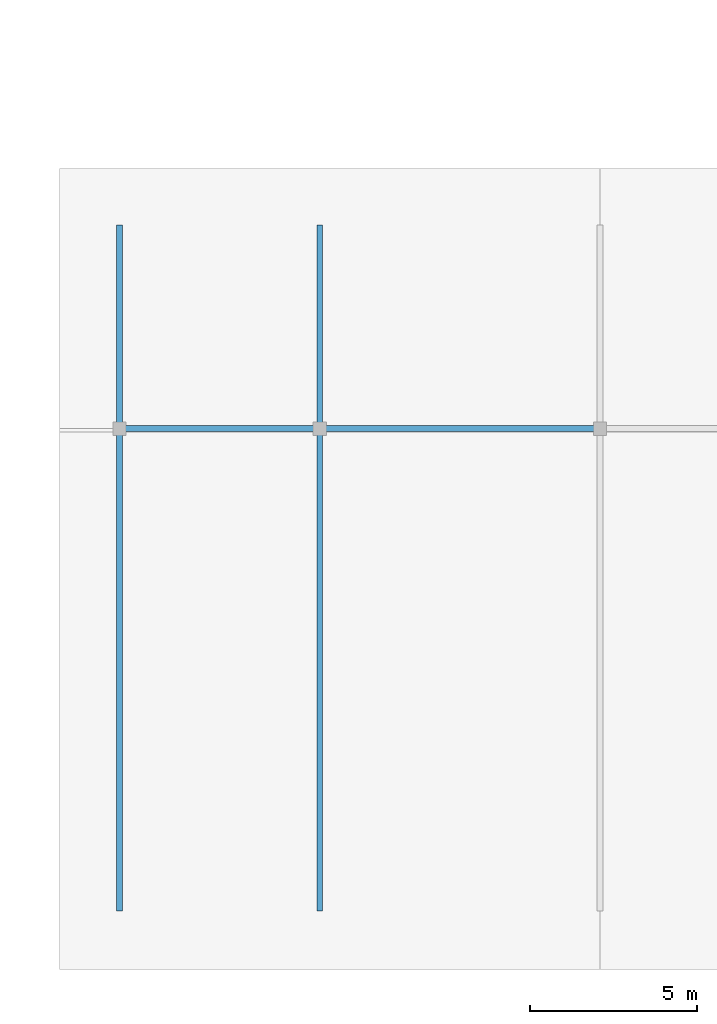
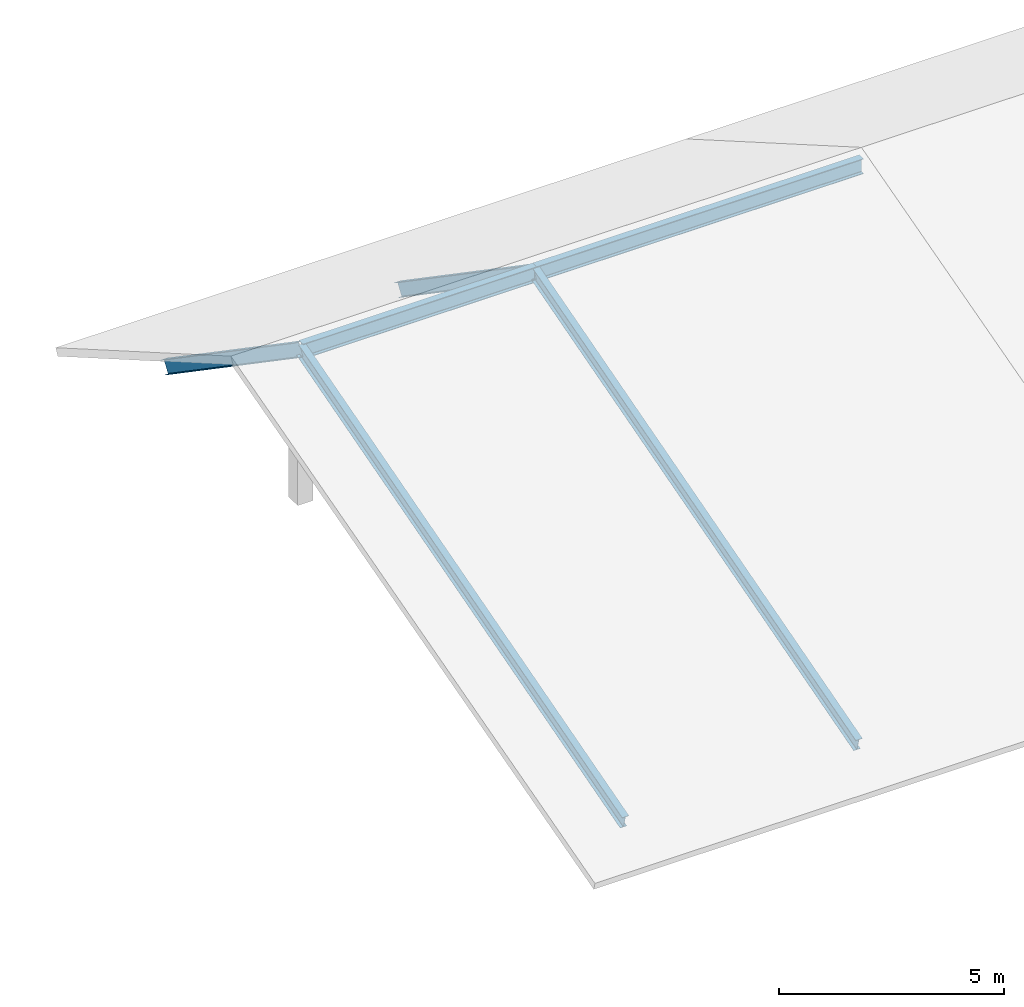
# One storey, part 15 of 101: 6 beams.
"""IFC4 building model written with IfcOpenShell, lengths in metres."""

from ifc_helpers import new_model, si_unit, direction, frame, origin, origin_2d, place, context, subcontext, project, spatial, i_section, extrude, material, material_profile, profile_set, type_object, element, save


model = new_model("IFC4")

# Units and contexts
model_context = context("Model", 3, precision=1e-05, world=origin(), true_north=direction((0.0, 1.0)))
body_context = subcontext(model_context, "Body", "Model", "MODEL_VIEW")
ifc_project = project(units=[si_unit("LENGTHUNIT", "METRE"), si_unit("AREAUNIT", "SQUARE_METRE"), si_unit("VOLUMEUNIT", "CUBIC_METRE"), si_unit("PLANEANGLEUNIT", "RADIAN"), si_unit("MASSUNIT", "GRAM", prefix="KILO"), si_unit("THERMODYNAMICTEMPERATUREUNIT", "KELVIN")], contexts=[model_context])

# Site, building, storey
site_placement = place(None, origin())
site = spatial("IfcSite", under=ifc_project, at=site_placement, CompositionType="ELEMENT")
building_placement = place(site_placement, origin())
building = spatial("IfcBuilding", under=site, at=building_placement, Name="Thalorik Housing Commons", CompositionType="ELEMENT")
storey_placement = place(building_placement, frame((0.0, 0.0, 8.10009765625)))
storey = spatial("IfcBuildingStorey", under=building, at=storey_placement, Name="L02", CompositionType="ELEMENT", Elevation=8.10009765625)

# Beams
ifc_material = material(Name="Steel S355", Category="steel")
ifc_material_profile_1 = material_profile(ifc_material, i_section(OverallWidth=0.1708984375, OverallDepth=0.35498046875, WebThickness=0.007080078125, FlangeThickness=0.01171875, FilletRadius=0.010009765625, at=origin_2d()), Name="W360x51", Category="steel")
ifc_profile_set_1 = profile_set([ifc_material_profile_1], Name="Steel S355")
beam_type_1 = type_object("IfcBeamType", Name="STR-BM-W360x51", PredefinedType="BEAM", material=ifc_profile_set_1)
beam_1_placement = place(storey_placement, frame((123.60009765625, 8.39990234375, -0.050048828125), z_axis=(0.0, 0.961602654935, 0.274445502826), x_axis=(-1.0, 0.0, 0.0)))
element("IfcBeam", 1, at=beam_1_placement, inside=storey, type_object=beam_type_1, Name="L02 Nursery South Rafter 1", PredefinedType="BEAM", context=body_context, shape_type="SweptSolid", body=[
    extrude(i_section(OverallWidth=0.1708984375, OverallDepth=0.35498046875, WebThickness=0.007080078125, FlangeThickness=0.01171875, FilletRadius=0.010009765625, at=origin_2d()), origin(), (0.0, 0.0, 1.0), 14.97509765625),
])
beam_2_placement = place(storey_placement, frame((123.60009765625, 28.800048828125, -0.050048828125), z_axis=(0.0, -0.825012367604, 0.565114672699), x_axis=(1.0, 0.0, 0.0)))
element("IfcBeam", 2, at=beam_2_placement, inside=storey, type_object=beam_type_1, Name="L02 Nursery North Rafter 1", PredefinedType="BEAM", context=body_context, shape_type="SweptSolid", body=[
    extrude(i_section(OverallWidth=0.1708984375, OverallDepth=0.35498046875, WebThickness=0.007080078125, FlangeThickness=0.01171875, FilletRadius=0.010009765625, at=origin_2d()), origin(), (0.0, 0.0, 1.0), 7.272705078125),
])
beam_3_placement = place(storey_placement, frame((129.60009765625, 8.39990234375, -0.050048828125), z_axis=(0.0, 0.961602654935, 0.274445502826), x_axis=(-1.0, 0.0, 0.0)))
element("IfcBeam", 3, at=beam_3_placement, inside=storey, type_object=beam_type_1, Name="L02 Nursery South Rafter 2", PredefinedType="BEAM", context=body_context, shape_type="SweptSolid", body=[
    extrude(i_section(OverallWidth=0.1708984375, OverallDepth=0.35498046875, WebThickness=0.007080078125, FlangeThickness=0.01171875, FilletRadius=0.010009765625, at=origin_2d()), origin(), (0.0, 0.0, 1.0), 14.97509765625),
])
beam_4_placement = place(storey_placement, frame((129.60009765625, 28.800048828125, -0.050048828125), z_axis=(0.0, -0.825012367604, 0.565114672699), x_axis=(1.0, 0.0, 0.0)))
element("IfcBeam", 4, at=beam_4_placement, inside=storey, type_object=beam_type_1, Name="L02 Nursery North Rafter 2", PredefinedType="BEAM", context=body_context, shape_type="SweptSolid", body=[
    extrude(i_section(OverallWidth=0.1708984375, OverallDepth=0.35498046875, WebThickness=0.007080078125, FlangeThickness=0.01171875, FilletRadius=0.010009765625, at=origin_2d()), origin(), (0.0, 0.0, 1.0), 7.272705078125),
])
ifc_material_profile_2 = material_profile(ifc_material, i_section(OverallWidth=0.179931640625, OverallDepth=0.4130859375, WebThickness=0.009765625, FlangeThickness=0.01611328125, FilletRadius=0.010986328125, at=origin_2d()), Name="W410x75", Category="steel")
ifc_profile_set_2 = profile_set([ifc_material_profile_2], Name="Steel S355")
beam_type_2 = type_object("IfcBeamType", Name="STR-BM-W410x75", PredefinedType="BEAM", material=ifc_profile_set_2)
beam_5_placement = place(storey_placement, frame((123.60009765625, 22.800048828125, 4.039794921875), z_axis=(1.0, 0.0, 0.0), x_axis=(0.0, 1.0, 0.0)))
element("IfcBeam", 5, at=beam_5_placement, inside=storey, type_object=beam_type_2, Name="L02 Nursery Ridge Beam 1", PredefinedType="BEAM", context=body_context, shape_type="SweptSolid", body=[
    extrude(i_section(OverallWidth=0.179931640625, OverallDepth=0.4130859375, WebThickness=0.009765625, FlangeThickness=0.01611328125, FilletRadius=0.010986328125, at=origin_2d()), origin(), (0.0, 0.0, 1.0), 6.0),
])
beam_6_placement = place(storey_placement, frame((129.60009765625, 22.800048828125, 4.039794921875), z_axis=(1.0, 0.0, 0.0), x_axis=(0.0, 1.0, 0.0)))
element("IfcBeam", 6, at=beam_6_placement, inside=storey, type_object=beam_type_2, Name="L02 Nursery Ridge Beam 2", PredefinedType="BEAM", context=body_context, shape_type="SweptSolid", body=[
    extrude(i_section(OverallWidth=0.179931640625, OverallDepth=0.4130859375, WebThickness=0.009765625, FlangeThickness=0.01611328125, FilletRadius=0.010986328125, at=origin_2d()), origin(), (0.0, 0.0, 1.0), 8.39990234375),
])

save(model, "model.ifc")
